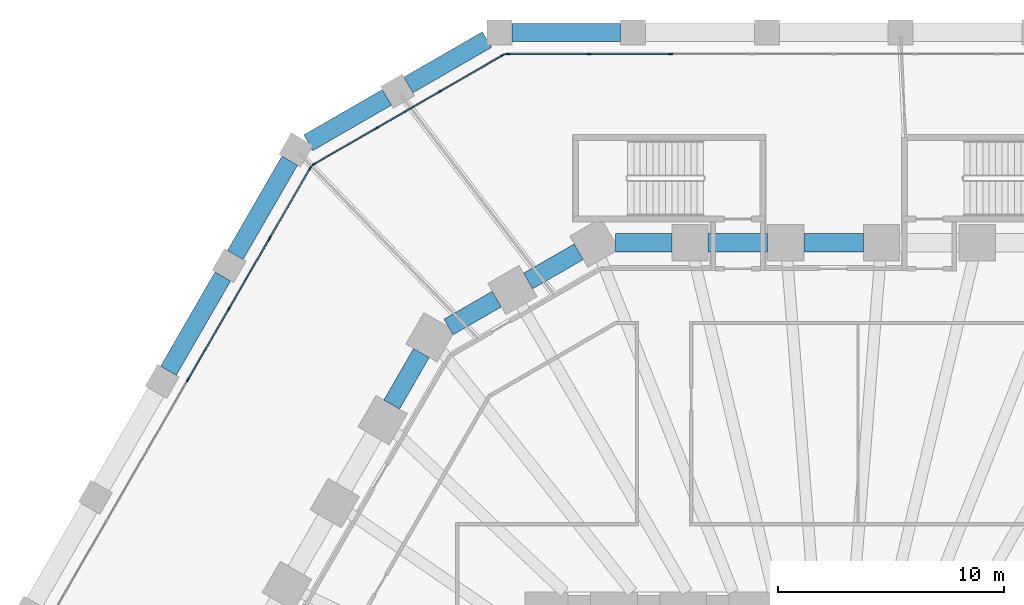
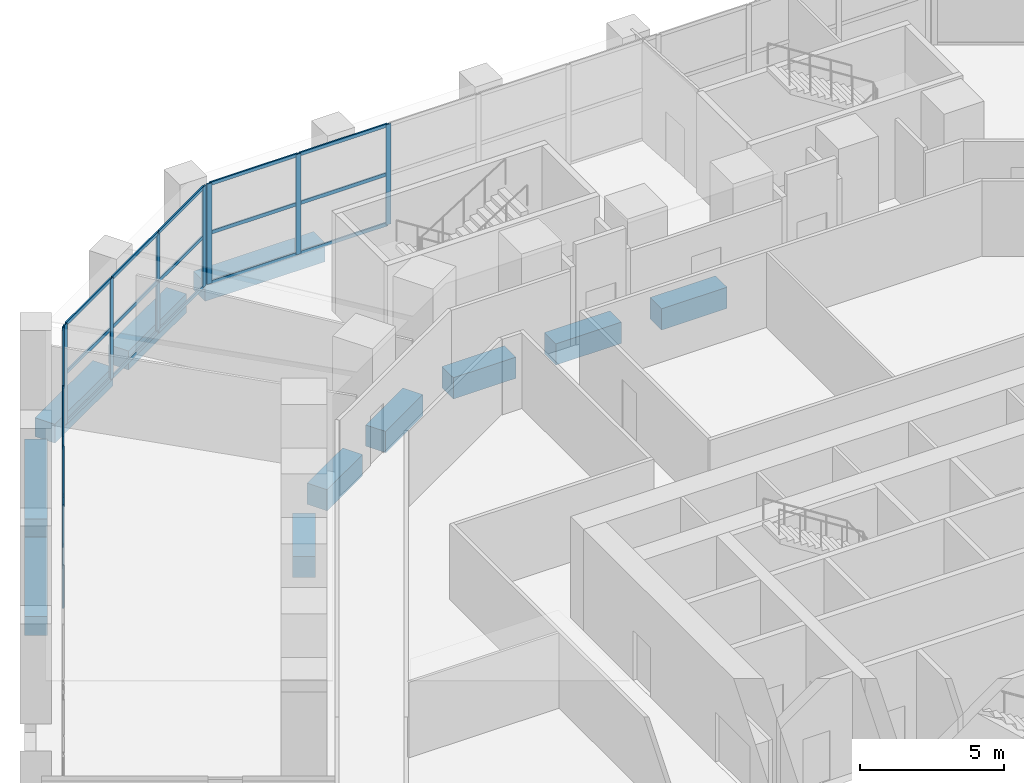
# One storey, part 12 of 38: 35 members, 11 beams, 3 elements without a shape of their own.
"""IFC4 building model written with IfcOpenShell, lengths in metres."""

from ifc_helpers import new_model, si_unit, direction, frame, origin, origin_2d, place, context, subcontext, project, spatial, rectangle, extrude, material, material_profile, profile_set, type_object, element, aggregate, save


model = new_model("IFC4")

# Units and contexts
model_context = context("Model", 3, precision=1e-05, world=origin(), true_north=direction((0.0, 1.0)))
body_context = subcontext(model_context, "Body", "Model", "MODEL_VIEW")
ifc_project = project(units=[si_unit("LENGTHUNIT", "METRE"), si_unit("AREAUNIT", "SQUARE_METRE"), si_unit("VOLUMEUNIT", "CUBIC_METRE"), si_unit("PLANEANGLEUNIT", "RADIAN"), si_unit("MASSUNIT", "GRAM", prefix="KILO")], contexts=[model_context])

# Site, building, storey
site_placement = place(None, origin())
site = spatial("IfcSite", under=ifc_project, at=site_placement, CompositionType="ELEMENT")
building_placement = place(site_placement, origin())
building = spatial("IfcBuilding", under=site, at=building_placement, Name="Frailejon Research Tower", CompositionType="ELEMENT")
storey_placement = place(building_placement, frame((0.0, 0.0, 5.60009765625)))
storey = spatial("IfcBuildingStorey", under=building, at=storey_placement, Name="L01", CompositionType="ELEMENT", Elevation=5.60009765625)

# Beams
ifc_material_1 = material(Name="Concrete C60/75", Category="concrete")
ifc_material_profile_1 = material_profile(ifc_material_1, rectangle(XDim=0.800048828125, YDim=0.800048828125, at=origin_2d()), Name="Base ring beam")
ifc_profile_set_1 = profile_set([ifc_material_profile_1], Name="Concrete C60/75")
beam_type_1 = type_object("IfcBeamType", Name="Base ring beam", PredefinedType="BEAM", material=ifc_profile_set_1)
beam_1_placement = place(storey_placement, frame((-9.4208984375, 36.0, -0.75), z_axis=(-1.0, 0.0, 0.0), x_axis=(0.0, -1.0, 0.0)))
element("IfcBeam", 1, at=beam_1_placement, inside=storey, type_object=beam_type_1, Name="Base ring beam", PredefinedType="BEAM", context=body_context, shape_type="SweptSolid", body=[
    extrude(rectangle(XDim=0.800048828125, YDim=0.800048828125, at=origin_2d()), origin(), (0.0, 0.0, 1.0), 4.813720703125),
])
for number, where, z_axis, x_axis, name in (
    (2, (-15.334716796875, 35.6826171875, -0.75), (-0.866013269967, -0.500021015799, 0.0), (0.500021015799, -0.866013269967, 0.0), "Base ring beam"),
    (3, (-19.760986328125, 33.126953125, -0.75), (-0.866013269967, -0.500021015799, 0.0), (0.500021015799, -0.866013269967, 0.0), "Base ring beam"),
):
    element("IfcBeam", number, at=place(storey_placement, frame(where, z_axis=z_axis, x_axis=x_axis)), inside=storey, type_object=beam_type_1, Name=name, PredefinedType="BEAM", context=body_context, shape_type="SweptSolid", body=[
        extrude(rectangle(XDim=0.800048828125, YDim=0.800048828125, at=origin_2d()), origin(), (0.0, 0.0, 1.0), 4.010986328125),
    ])
beam_2_placement = place(storey_placement, frame((-24.0595703125, 30.327392578125, -0.75), z_axis=(-0.500028306193, -0.866009060579, 0.0), x_axis=(0.866009060579, -0.500028306193, 0.0)))
element("IfcBeam", 4, at=beam_2_placement, inside=storey, type_object=beam_type_1, Name="Base ring beam", PredefinedType="BEAM", context=body_context, shape_type="SweptSolid", body=[
    extrude(rectangle(XDim=0.800048828125, YDim=0.800048828125, at=origin_2d()), origin(), (0.0, 0.0, 1.0), 4.813720703125),
])
beam_3_placement = place(storey_placement, frame((-27.0166015625, 25.2060546875, -0.75), z_axis=(-0.50000634465, -0.866021740668, 0.0), x_axis=(0.866021740668, -0.50000634465, 0.0)))
element("IfcBeam", 5, at=beam_3_placement, inside=storey, type_object=beam_type_1, Name="Base ring beam", PredefinedType="BEAM", context=body_context, shape_type="SweptSolid", body=[
    extrude(rectangle(XDim=0.800048828125, YDim=0.800048828125, at=origin_2d()), origin(), (0.0, 0.0, 1.0), 4.81396484375),
])
ifc_material_2 = material(Name="Concrete C60/75", Category="concrete")
ifc_material_profile_2 = material_profile(ifc_material_2, rectangle(XDim=0.800048828125, YDim=0.89990234375, at=origin_2d()), Name="Podium ring beam")
ifc_profile_set_2 = profile_set([ifc_material_profile_2], Name="Concrete C60/75")
beam_type_2 = type_object("IfcBeamType", Name="Podium ring beam", PredefinedType="BEAM", material=ifc_profile_set_2)
for number, where, z_axis, x_axis, name in (
    (6, (1.31591796875, 26.699951171875, -0.800048828125), (-1.0, 0.0, 0.0), (0.0, -1.0, 0.0), "Podium ring beam"),
    (7, (-2.916015625, 26.699951171875, -0.800048828125), (-1.0, 0.0, 0.0), (0.0, -1.0, 0.0), "Podium ring beam"),
):
    element("IfcBeam", number, at=place(storey_placement, frame(where, z_axis=z_axis, x_axis=x_axis)), inside=storey, type_object=beam_type_2, Name=name, PredefinedType="BEAM", context=body_context, shape_type="SweptSolid", body=[
        extrude(rectangle(XDim=0.800048828125, YDim=0.89990234375, at=origin_2d()), origin(), (0.0, 0.0, 1.0), 2.6318359375),
    ])
beam_4_placement = place(storey_placement, frame((-7.14794921875, 26.699951171875, -0.800048828125), z_axis=(-1.0, 0.0, 0.0), x_axis=(0.0, -1.0, 0.0)))
element("IfcBeam", 8, at=beam_4_placement, inside=storey, type_object=beam_type_2, Name="Podium ring beam", PredefinedType="BEAM", context=body_context, shape_type="SweptSolid", body=[
    extrude(rectangle(XDim=0.800048828125, YDim=0.89990234375, at=origin_2d()), origin(), (0.0, 0.0, 1.0), 2.508056640625),
])
beam_5_placement = place(storey_placement, frame((-11.272705078125, 26.300048828125, -0.800048828125), z_axis=(-0.866004899711, -0.500035512416, 0.0), x_axis=(0.500035512416, -0.866004899711, 0.0)))
element("IfcBeam", 9, at=beam_5_placement, inside=storey, type_object=beam_type_2, Name="Podium ring beam", PredefinedType="BEAM", context=body_context, shape_type="SweptSolid", body=[
    extrude(rectangle(XDim=0.800048828125, YDim=0.89990234375, at=origin_2d()), origin(), (0.0, 0.0, 1.0), 2.587646484375),
])
beam_6_placement = place(storey_placement, frame((-14.899169921875, 24.206298828125, -0.800048828125), z_axis=(-0.86602717807, -0.499996926835, 0.0), x_axis=(0.499996926835, -0.86602717807, 0.0)))
element("IfcBeam", 10, at=beam_6_placement, inside=storey, type_object=beam_type_2, Name="Podium ring beam", PredefinedType="BEAM", context=body_context, shape_type="SweptSolid", body=[
    extrude(rectangle(XDim=0.800048828125, YDim=0.89990234375, at=origin_2d()), origin(), (0.0, 0.0, 1.0), 2.4638671875),
])
beam_7_placement = place(storey_placement, frame((-18.23291015625, 21.819580078125, -0.800048828125), z_axis=(-0.499990112884, -0.866031112038, 0.0), x_axis=(0.866031112038, -0.499990112884, 0.0)))
element("IfcBeam", 11, at=beam_7_placement, inside=storey, type_object=beam_type_2, Name="Podium ring beam", PredefinedType="BEAM", context=body_context, shape_type="SweptSolid", body=[
    extrude(rectangle(XDim=0.800048828125, YDim=0.89990234375, at=origin_2d()), origin(), (0.0, 0.0, 1.0), 2.6318359375),
])

# Curtain wall, members
ifc_material_3 = material(Name="Aluminium curtain wall", Category="aluminium")
curtain_wall_type = type_object("IfcCurtainWallType", Name="Podium stick curtain wall system", PredefinedType="NOTDEFINED", material=ifc_material_3)
curtain_wall_1_placement = place(storey_placement, origin())
curtain_wall_1 = element("IfcCurtainWall", 12, at=curtain_wall_1_placement, inside=storey, type_object=curtain_wall_type, Name="Curtain wall L01", PredefinedType="NOTDEFINED")
ifc_material_4 = material(Name="Aluminium extrusion", Category="aluminium")
ifc_material_profile_3 = material_profile(ifc_material_4, rectangle(XDim=0.06005859375, YDim=0.199951171875, at=origin_2d()), Name="Podium stick curtain wall mullion 60x200")
ifc_profile_set_3 = profile_set([ifc_material_profile_3], Name="Aluminium extrusion")
member_type_1 = type_object("IfcMemberType", Name="Podium stick curtain wall mullion 60x200", PredefinedType="MULLION", material=ifc_profile_set_3)
member_1_placement = place(storey_placement, frame((-7.215087890625, 35.050048828125, 0.0), z_axis=(0.0, 0.0, 1.0), x_axis=(0.0, -1.0, 0.0)))
member_1 = element("IfcMember", 13, at=member_1_placement, type_object=member_type_1, Name="CW2-024 mullion 7", PredefinedType="MULLION", context=body_context, shape_type="SweptSolid", body=[
    extrude(rectangle(XDim=0.06005859375, YDim=0.199951171875, at=origin_2d()), origin(), (0.0, 0.0, 1.0), 4.25),
])
member_2_placement = place(storey_placement, frame((-10.822509765625, 35.050048828125, 0.0), z_axis=(0.0, 0.0, 1.0), x_axis=(0.0, -1.0, 0.0)))
member_2 = element("IfcMember", 14, at=member_2_placement, type_object=member_type_1, Name="CW2-024 mullion 8", PredefinedType="MULLION", context=body_context, shape_type="SweptSolid", body=[
    extrude(rectangle(XDim=0.06005859375, YDim=0.199951171875, at=origin_2d()), origin(), (0.0, 0.0, 1.0), 4.25),
])
member_3_placement = place(storey_placement, frame((-14.400146484375, 35.050048828125, 0.0), z_axis=(0.0, 0.0, 1.0), x_axis=(0.0, -1.0, 0.0)))
member_3 = element("IfcMember", 15, at=member_3_placement, type_object=member_type_1, Name="CW2-024 mullion 9", PredefinedType="MULLION", context=body_context, shape_type="SweptSolid", body=[
    extrude(rectangle(XDim=0.06005859375, YDim=0.199951171875, at=origin_2d()), origin(), (0.0, 0.0, 1.0), 4.25),
])

curtain_wall_2_placement = place(storey_placement, origin())
curtain_wall_2 = element("IfcCurtainWall", 16, at=curtain_wall_2_placement, inside=storey, type_object=curtain_wall_type, Name="Curtain wall L01", PredefinedType="NOTDEFINED")
member_4_placement = place(storey_placement, frame((-14.642578125, 34.985107421875, 0.0), z_axis=(0.0, 0.0, 1.0), x_axis=(0.499999874334, -0.866025476338, 0.0)))
member_4 = element("IfcMember", 17, at=member_4_placement, type_object=member_type_1, Name="CW2-025 mullion 1", PredefinedType="MULLION", context=body_context, shape_type="SweptSolid", body=[
    extrude(rectangle(XDim=0.06005859375, YDim=0.199951171875, at=origin_2d()), origin(), (0.0, 0.0, 1.0), 4.25),
])
member_5_placement = place(storey_placement, frame((-17.412109375, 33.38623046875, 0.0), z_axis=(0.0, 0.0, 1.0), x_axis=(0.499999874334, -0.866025476338, 0.0)))
member_5 = element("IfcMember", 18, at=member_5_placement, type_object=member_type_1, Name="CW2-025 mullion 2", PredefinedType="MULLION", context=body_context, shape_type="SweptSolid", body=[
    extrude(rectangle(XDim=0.06005859375, YDim=0.199951171875, at=origin_2d()), origin(), (0.0, 0.0, 1.0), 4.25),
])
member_6_placement = place(storey_placement, frame((-20.207275390625, 31.772216796875, 0.0), z_axis=(0.0, 0.0, 1.0), x_axis=(0.499999874334, -0.866025476338, 0.0)))
member_6 = element("IfcMember", 19, at=member_6_placement, type_object=member_type_1, Name="CW2-025 mullion 3", PredefinedType="MULLION", context=body_context, shape_type="SweptSolid", body=[
    extrude(rectangle(XDim=0.06005859375, YDim=0.199951171875, at=origin_2d()), origin(), (0.0, 0.0, 1.0), 4.25),
])
member_7_placement = place(storey_placement, frame((-22.9765625, 30.17333984375, 0.0), z_axis=(0.0, 0.0, 1.0), x_axis=(0.499999874334, -0.866025476338, 0.0)))
member_7 = element("IfcMember", 20, at=member_7_placement, type_object=member_type_1, Name="CW2-025 mullion 4", PredefinedType="MULLION", context=body_context, shape_type="SweptSolid", body=[
    extrude(rectangle(XDim=0.06005859375, YDim=0.199951171875, at=origin_2d()), origin(), (0.0, 0.0, 1.0), 4.25),
])

curtain_wall_3_placement = place(storey_placement, origin())
curtain_wall_3 = element("IfcCurtainWall", 21, at=curtain_wall_3_placement, inside=storey, type_object=curtain_wall_type, Name="Curtain wall L01", PredefinedType="NOTDEFINED")
member_8_placement = place(storey_placement, frame((-23.154296875, 29.995849609375, 0.0), z_axis=(0.0, 0.0, 1.0), x_axis=(0.86602632934, -0.499998396888, 0.0)))
member_8 = element("IfcMember", 22, at=member_8_placement, type_object=member_type_1, Name="CW2-026 mullion 1", PredefinedType="MULLION", context=body_context, shape_type="SweptSolid", body=[
    extrude(rectangle(XDim=0.06005859375, YDim=0.199951171875, at=origin_2d()), origin(), (0.0, 0.0, 1.0), 4.25),
])
member_9_placement = place(storey_placement, frame((-24.94287109375, 26.897705078125, 0.0), z_axis=(0.0, 0.0, 1.0), x_axis=(0.86602632934, -0.499998396888, 0.0)))
member_9 = element("IfcMember", 23, at=member_9_placement, type_object=member_type_1, Name="CW2-026 mullion 2", PredefinedType="MULLION", context=body_context, shape_type="SweptSolid", body=[
    extrude(rectangle(XDim=0.06005859375, YDim=0.199951171875, at=origin_2d()), origin(), (0.0, 0.0, 1.0), 4.25),
])
member_10_placement = place(storey_placement, frame((-26.74658203125, 23.7734375, 0.0), z_axis=(0.0, 0.0, 1.0), x_axis=(0.86602632934, -0.499998396888, 0.0)))
member_10 = element("IfcMember", 24, at=member_10_placement, type_object=member_type_1, Name="CW2-026 mullion 3", PredefinedType="MULLION", context=body_context, shape_type="SweptSolid", body=[
    extrude(rectangle(XDim=0.06005859375, YDim=0.199951171875, at=origin_2d()), origin(), (0.0, 0.0, 1.0), 4.25),
])
member_11_placement = place(storey_placement, frame((-28.550537109375, 20.649169921875, 0.0), z_axis=(0.0, 0.0, 1.0), x_axis=(0.86602632934, -0.499998396888, 0.0)))
member_11 = element("IfcMember", 25, at=member_11_placement, type_object=member_type_1, Name="CW2-026 mullion 4", PredefinedType="MULLION", context=body_context, shape_type="SweptSolid", body=[
    extrude(rectangle(XDim=0.06005859375, YDim=0.199951171875, at=origin_2d()), origin(), (0.0, 0.0, 1.0), 4.25),
])

# Member
ifc_material_5 = material(Name="Aluminium extrusion", Category="aluminium")
ifc_material_profile_4 = material_profile(ifc_material_5, rectangle(XDim=0.06005859375, YDim=0.14990234375, at=origin_2d()), Name="Podium stick curtain wall transom 60x150")
ifc_profile_set_4 = profile_set([ifc_material_profile_4], Name="Aluminium extrusion")
member_type_2 = type_object("IfcMemberType", Name="Podium stick curtain wall transom 60x150", PredefinedType="USERDEFINED", material=ifc_profile_set_4)
member_12_placement = place(storey_placement, frame((-7.2451171875, 35.050048828125, 0.02978515625), z_axis=(-1.0, 0.0, 0.0), x_axis=(0.0, -1.0, 0.0)))
member_12 = element("IfcMember", 26, at=member_12_placement, type_object=member_type_2, Name="CW2-024 transom 7.1", ObjectType="TRANSOM", PredefinedType="USERDEFINED", context=body_context, shape_type="SweptSolid", body=[
    extrude(rectangle(XDim=0.06005859375, YDim=0.14990234375, at=origin_2d()), origin(), (0.0, 0.0, 1.0), 3.54736328125),
])

member_13_placement = place(storey_placement, frame((-7.2451171875, 35.050048828125, 2.14990234375), z_axis=(-1.0, 0.0, 0.0), x_axis=(0.0, -1.0, 0.0)))
member_13 = element("IfcMember", 27, at=member_13_placement, type_object=member_type_2, Name="CW2-024 transom 7.2", ObjectType="TRANSOM", PredefinedType="USERDEFINED", context=body_context, shape_type="SweptSolid", body=[
    extrude(rectangle(XDim=0.06005859375, YDim=0.14990234375, at=origin_2d()), origin(), (0.0, 0.0, 1.0), 3.54736328125),
])

member_14_placement = place(storey_placement, frame((-7.2451171875, 35.050048828125, 4.219970703125), z_axis=(-1.0, 0.0, 0.0), x_axis=(0.0, -1.0, 0.0)))
member_14 = element("IfcMember", 28, at=member_14_placement, type_object=member_type_2, Name="CW2-024 transom 7.3", ObjectType="TRANSOM", PredefinedType="USERDEFINED", context=body_context, shape_type="SweptSolid", body=[
    extrude(rectangle(XDim=0.06005859375, YDim=0.14990234375, at=origin_2d()), origin(), (0.0, 0.0, 1.0), 3.54736328125),
])

member_15_placement = place(storey_placement, frame((-10.8525390625, 35.050048828125, 0.02978515625), z_axis=(-1.0, 0.0, 0.0), x_axis=(0.0, -1.0, 0.0)))
member_15 = element("IfcMember", 29, at=member_15_placement, type_object=member_type_2, Name="CW2-024 transom 8.1", ObjectType="TRANSOM", PredefinedType="USERDEFINED", context=body_context, shape_type="SweptSolid", body=[
    extrude(rectangle(XDim=0.06005859375, YDim=0.14990234375, at=origin_2d()), origin(), (0.0, 0.0, 1.0), 3.517578125),
])

member_16_placement = place(storey_placement, frame((-10.8525390625, 35.050048828125, 2.14990234375), z_axis=(-1.0, 0.0, 0.0), x_axis=(0.0, -1.0, 0.0)))
member_16 = element("IfcMember", 30, at=member_16_placement, type_object=member_type_2, Name="CW2-024 transom 8.2", ObjectType="TRANSOM", PredefinedType="USERDEFINED", context=body_context, shape_type="SweptSolid", body=[
    extrude(rectangle(XDim=0.06005859375, YDim=0.14990234375, at=origin_2d()), origin(), (0.0, 0.0, 1.0), 3.517578125),
])

member_17_placement = place(storey_placement, frame((-10.8525390625, 35.050048828125, 4.219970703125), z_axis=(-1.0, 0.0, 0.0), x_axis=(0.0, -1.0, 0.0)))
member_17 = element("IfcMember", 31, at=member_17_placement, type_object=member_type_2, Name="CW2-024 transom 8.3", ObjectType="TRANSOM", PredefinedType="USERDEFINED", context=body_context, shape_type="SweptSolid", body=[
    extrude(rectangle(XDim=0.06005859375, YDim=0.14990234375, at=origin_2d()), origin(), (0.0, 0.0, 1.0), 3.517578125),
])

aggregate(curtain_wall_1, [member_1, member_2, member_3, member_12, member_13, member_14, member_15, member_16, member_17])

member_18_placement = place(storey_placement, frame((-14.668701171875, 34.969970703125, 0.02978515625), z_axis=(-0.866022320763, -0.500005339912, 0.0), x_axis=(0.500005339912, -0.866022320763, 0.0)))
member_18 = element("IfcMember", 32, at=member_18_placement, type_object=member_type_2, Name="CW2-025 transom 1.1", ObjectType="TRANSOM", PredefinedType="USERDEFINED", context=body_context, shape_type="SweptSolid", body=[
    extrude(rectangle(XDim=0.06005859375, YDim=0.14990234375, at=origin_2d()), origin(), (0.0, 0.0, 1.0), 3.1376953125),
])

member_19_placement = place(storey_placement, frame((-14.668701171875, 34.969970703125, 2.14990234375), z_axis=(-0.866022320763, -0.500005339912, 0.0), x_axis=(0.500005339912, -0.866022320763, 0.0)))
member_19 = element("IfcMember", 33, at=member_19_placement, type_object=member_type_2, Name="CW2-025 transom 1.2", ObjectType="TRANSOM", PredefinedType="USERDEFINED", context=body_context, shape_type="SweptSolid", body=[
    extrude(rectangle(XDim=0.06005859375, YDim=0.14990234375, at=origin_2d()), origin(), (0.0, 0.0, 1.0), 3.1376953125),
])

member_20_placement = place(storey_placement, frame((-14.668701171875, 34.969970703125, 4.219970703125), z_axis=(-0.866022320763, -0.500005339912, 0.0), x_axis=(0.500005339912, -0.866022320763, 0.0)))
member_20 = element("IfcMember", 34, at=member_20_placement, type_object=member_type_2, Name="CW2-025 transom 1.3", ObjectType="TRANSOM", PredefinedType="USERDEFINED", context=body_context, shape_type="SweptSolid", body=[
    extrude(rectangle(XDim=0.06005859375, YDim=0.14990234375, at=origin_2d()), origin(), (0.0, 0.0, 1.0), 3.1376953125),
])

member_21_placement = place(storey_placement, frame((-17.43798828125, 33.37109375, 0.02978515625), z_axis=(-0.866048262394, -0.499960405637, 0.0), x_axis=(0.499960405637, -0.866048262394, 0.0)))
member_21 = element("IfcMember", 35, at=member_21_placement, type_object=member_type_2, Name="CW2-025 transom 2.1", ObjectType="TRANSOM", PredefinedType="USERDEFINED", context=body_context, shape_type="SweptSolid", body=[
    extrude(rectangle(XDim=0.06005859375, YDim=0.14990234375, at=origin_2d()), origin(), (0.0, 0.0, 1.0), 3.167724609375),
])

member_22_placement = place(storey_placement, frame((-17.43798828125, 33.37109375, 2.14990234375), z_axis=(-0.866048262394, -0.499960405637, 0.0), x_axis=(0.499960405637, -0.866048262394, 0.0)))
member_22 = element("IfcMember", 36, at=member_22_placement, type_object=member_type_2, Name="CW2-025 transom 2.2", ObjectType="TRANSOM", PredefinedType="USERDEFINED", context=body_context, shape_type="SweptSolid", body=[
    extrude(rectangle(XDim=0.06005859375, YDim=0.14990234375, at=origin_2d()), origin(), (0.0, 0.0, 1.0), 3.167724609375),
])

member_23_placement = place(storey_placement, frame((-17.43798828125, 33.37109375, 4.219970703125), z_axis=(-0.866048262394, -0.499960405637, 0.0), x_axis=(0.499960405637, -0.866048262394, 0.0)))
member_23 = element("IfcMember", 37, at=member_23_placement, type_object=member_type_2, Name="CW2-025 transom 2.3", ObjectType="TRANSOM", PredefinedType="USERDEFINED", context=body_context, shape_type="SweptSolid", body=[
    extrude(rectangle(XDim=0.06005859375, YDim=0.14990234375, at=origin_2d()), origin(), (0.0, 0.0, 1.0), 3.167724609375),
])

member_24_placement = place(storey_placement, frame((-20.2333984375, 31.75732421875, 0.02978515625), z_axis=(-0.866022320763, -0.500005339912, 0.0), x_axis=(0.500005339912, -0.866022320763, 0.0)))
member_24 = element("IfcMember", 38, at=member_24_placement, type_object=member_type_2, Name="CW2-025 transom 3.1", ObjectType="TRANSOM", PredefinedType="USERDEFINED", context=body_context, shape_type="SweptSolid", body=[
    extrude(rectangle(XDim=0.06005859375, YDim=0.14990234375, at=origin_2d()), origin(), (0.0, 0.0, 1.0), 3.1376953125),
])

member_25_placement = place(storey_placement, frame((-20.2333984375, 31.75732421875, 2.14990234375), z_axis=(-0.866022320763, -0.500005339912, 0.0), x_axis=(0.500005339912, -0.866022320763, 0.0)))
member_25 = element("IfcMember", 39, at=member_25_placement, type_object=member_type_2, Name="CW2-025 transom 3.2", ObjectType="TRANSOM", PredefinedType="USERDEFINED", context=body_context, shape_type="SweptSolid", body=[
    extrude(rectangle(XDim=0.06005859375, YDim=0.14990234375, at=origin_2d()), origin(), (0.0, 0.0, 1.0), 3.1376953125),
])

member_26_placement = place(storey_placement, frame((-20.2333984375, 31.75732421875, 4.219970703125), z_axis=(-0.866022320763, -0.500005339912, 0.0), x_axis=(0.500005339912, -0.866022320763, 0.0)))
member_26 = element("IfcMember", 40, at=member_26_placement, type_object=member_type_2, Name="CW2-025 transom 3.3", ObjectType="TRANSOM", PredefinedType="USERDEFINED", context=body_context, shape_type="SweptSolid", body=[
    extrude(rectangle(XDim=0.06005859375, YDim=0.14990234375, at=origin_2d()), origin(), (0.0, 0.0, 1.0), 3.1376953125),
])

aggregate(curtain_wall_2, [member_4, member_5, member_6, member_7, member_18, member_19, member_20, member_21, member_22, member_23, member_24, member_25, member_26])

member_27_placement = place(storey_placement, frame((-23.169189453125, 29.9697265625, 0.02978515625), z_axis=(-0.500020858477, -0.866013360802, 0.0), x_axis=(0.866013360802, -0.500020858477, 0.0)))
member_27 = element("IfcMember", 41, at=member_27_placement, type_object=member_type_2, Name="CW2-026 transom 1.1", ObjectType="TRANSOM", PredefinedType="USERDEFINED", context=body_context, shape_type="SweptSolid", body=[
    extrude(rectangle(XDim=0.06005859375, YDim=0.14990234375, at=origin_2d()), origin(), (0.0, 0.0, 1.0), 3.517333984375),
])

member_28_placement = place(storey_placement, frame((-23.169189453125, 29.9697265625, 2.14990234375), z_axis=(-0.500020858477, -0.866013360802, 0.0), x_axis=(0.866013360802, -0.500020858477, 0.0)))
member_28 = element("IfcMember", 42, at=member_28_placement, type_object=member_type_2, Name="CW2-026 transom 1.2", ObjectType="TRANSOM", PredefinedType="USERDEFINED", context=body_context, shape_type="SweptSolid", body=[
    extrude(rectangle(XDim=0.06005859375, YDim=0.14990234375, at=origin_2d()), origin(), (0.0, 0.0, 1.0), 3.517333984375),
])

member_29_placement = place(storey_placement, frame((-23.169189453125, 29.9697265625, 4.219970703125), z_axis=(-0.500020858477, -0.866013360802, 0.0), x_axis=(0.866013360802, -0.500020858477, 0.0)))
member_29 = element("IfcMember", 43, at=member_29_placement, type_object=member_type_2, Name="CW2-026 transom 1.3", ObjectType="TRANSOM", PredefinedType="USERDEFINED", context=body_context, shape_type="SweptSolid", body=[
    extrude(rectangle(XDim=0.06005859375, YDim=0.14990234375, at=origin_2d()), origin(), (0.0, 0.0, 1.0), 3.517333984375),
])

member_30_placement = place(storey_placement, frame((-24.9580078125, 26.87158203125, 0.02978515625), z_axis=(-0.499980603476, -0.866036602083, 0.0), x_axis=(0.866036602083, -0.499980603476, 0.0)))
member_30 = element("IfcMember", 44, at=member_30_placement, type_object=member_type_2, Name="CW2-026 transom 2.1", ObjectType="TRANSOM", PredefinedType="USERDEFINED", context=body_context, shape_type="SweptSolid", body=[
    extrude(rectangle(XDim=0.06005859375, YDim=0.14990234375, at=origin_2d()), origin(), (0.0, 0.0, 1.0), 3.547607421875),
])

member_31_placement = place(storey_placement, frame((-24.9580078125, 26.87158203125, 2.14990234375), z_axis=(-0.499980603476, -0.866036602083, 0.0), x_axis=(0.866036602083, -0.499980603476, 0.0)))
member_31 = element("IfcMember", 45, at=member_31_placement, type_object=member_type_2, Name="CW2-026 transom 2.2", ObjectType="TRANSOM", PredefinedType="USERDEFINED", context=body_context, shape_type="SweptSolid", body=[
    extrude(rectangle(XDim=0.06005859375, YDim=0.14990234375, at=origin_2d()), origin(), (0.0, 0.0, 1.0), 3.547607421875),
])

member_32_placement = place(storey_placement, frame((-24.9580078125, 26.87158203125, 4.219970703125), z_axis=(-0.499980603476, -0.866036602083, 0.0), x_axis=(0.866036602083, -0.499980603476, 0.0)))
member_32 = element("IfcMember", 46, at=member_32_placement, type_object=member_type_2, Name="CW2-026 transom 2.3", ObjectType="TRANSOM", PredefinedType="USERDEFINED", context=body_context, shape_type="SweptSolid", body=[
    extrude(rectangle(XDim=0.06005859375, YDim=0.14990234375, at=origin_2d()), origin(), (0.0, 0.0, 1.0), 3.547607421875),
])

member_33_placement = place(storey_placement, frame((-26.76171875, 23.747314453125, 0.02978515625), z_axis=(-0.500010404316, -0.866019396766, 0.0), x_axis=(0.866019396766, -0.500010404316, 0.0)))
member_33 = element("IfcMember", 47, at=member_33_placement, type_object=member_type_2, Name="CW2-026 transom 3.1", ObjectType="TRANSOM", PredefinedType="USERDEFINED", context=body_context, shape_type="SweptSolid", body=[
    extrude(rectangle(XDim=0.06005859375, YDim=0.14990234375, at=origin_2d()), origin(), (0.0, 0.0, 1.0), 3.54736328125),
])

member_34_placement = place(storey_placement, frame((-26.76171875, 23.747314453125, 2.14990234375), z_axis=(-0.500010404316, -0.866019396766, 0.0), x_axis=(0.866019396766, -0.500010404316, 0.0)))
member_34 = element("IfcMember", 48, at=member_34_placement, type_object=member_type_2, Name="CW2-026 transom 3.2", ObjectType="TRANSOM", PredefinedType="USERDEFINED", context=body_context, shape_type="SweptSolid", body=[
    extrude(rectangle(XDim=0.06005859375, YDim=0.14990234375, at=origin_2d()), origin(), (0.0, 0.0, 1.0), 3.54736328125),
])

member_35_placement = place(storey_placement, frame((-26.76171875, 23.747314453125, 4.219970703125), z_axis=(-0.500010404316, -0.866019396766, 0.0), x_axis=(0.866019396766, -0.500010404316, 0.0)))
member_35 = element("IfcMember", 49, at=member_35_placement, type_object=member_type_2, Name="CW2-026 transom 3.3", ObjectType="TRANSOM", PredefinedType="USERDEFINED", context=body_context, shape_type="SweptSolid", body=[
    extrude(rectangle(XDim=0.06005859375, YDim=0.14990234375, at=origin_2d()), origin(), (0.0, 0.0, 1.0), 3.54736328125),
])

aggregate(curtain_wall_3, [member_8, member_9, member_10, member_11, member_27, member_28, member_29, member_30, member_31, member_32, member_33, member_34, member_35])

save(model, "model.ifc")
